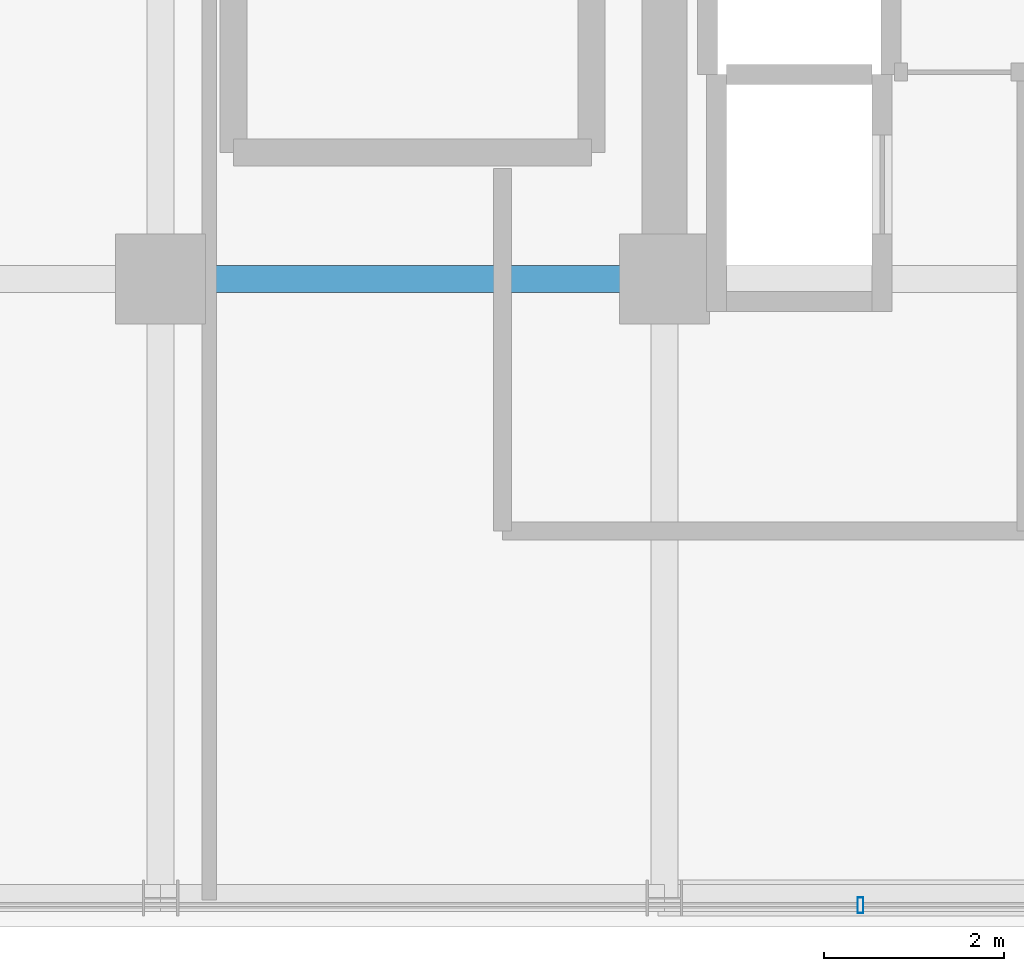
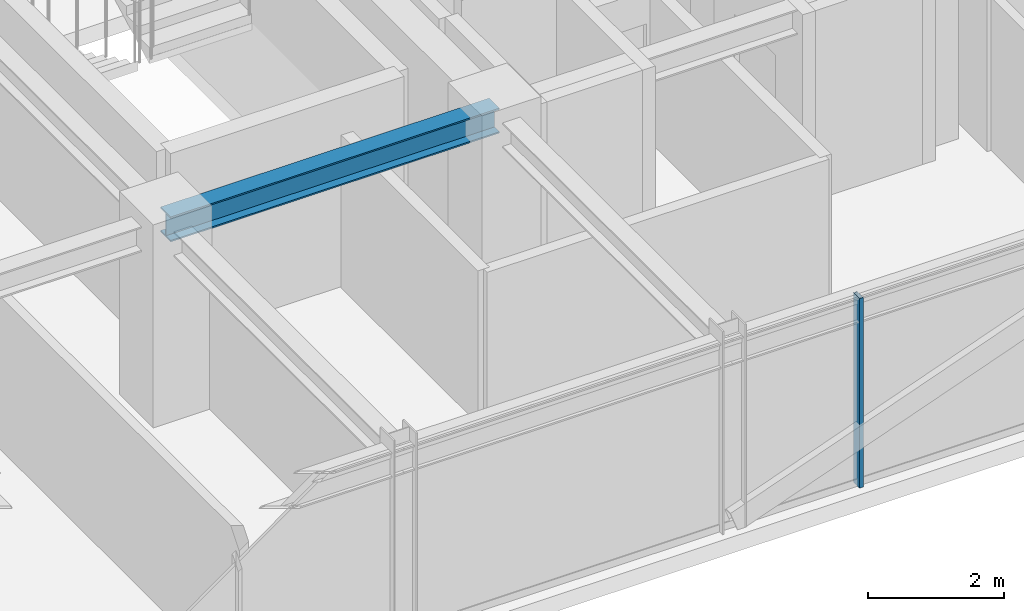
# One storey, part 12 of 41: 1 beam, 1 member, 1 element without a shape of its own.
"""IFC4 building model written with IfcOpenShell, lengths in metres."""

from ifc_helpers import new_model, si_unit, direction, frame, origin, origin_2d, place, context, subcontext, project, spatial, hollow_rectangle, i_section, extrude, source, transform, mapped, material, material_profile, profile_set, type_object, element, aggregate, save


model = new_model("IFC4")

# Units and contexts
model_context = context("Model", 3, precision=1e-05, world=origin(), true_north=direction((0.0, 1.0)))
body_context = subcontext(model_context, "Body", "Model", "MODEL_VIEW")
ifc_project = project(units=[si_unit("LENGTHUNIT", "METRE"), si_unit("AREAUNIT", "SQUARE_METRE"), si_unit("VOLUMEUNIT", "CUBIC_METRE"), si_unit("PLANEANGLEUNIT", "RADIAN"), si_unit("MASSUNIT", "GRAM", prefix="KILO")], contexts=[model_context])

# Site, building, storey
site_placement = place(None, origin())
site = spatial("IfcSite", under=ifc_project, at=site_placement, CompositionType="ELEMENT")
building_placement = place(site_placement, origin())
building = spatial("IfcBuilding", under=site, at=building_placement, Name="Nahalor Promenade Grand Hotel", CompositionType="ELEMENT")
storey_placement = place(building_placement, frame((0.0, 0.0, 227.10009765625)))
storey = spatial("IfcBuildingStorey", under=building, at=storey_placement, Name="L58", CompositionType="ELEMENT", Elevation=227.10009765625)

# Beam
ifc_material_1 = material(Name="Steel S355JR", Category="steel")
ifc_material_profile_1 = material_profile(ifc_material_1, i_section(OverallWidth=0.3, OverallDepth=0.45, WebThickness=0.014, FlangeThickness=0.026, at=origin_2d()), Name="HEB 450")
ifc_profile_set_1 = profile_set([ifc_material_profile_1], Name="Steel S355JR")
beam_type = type_object("IfcBeamType", Name="Beam-Girder-HEB450", PredefinedType="BEAM", material=ifc_profile_set_1)
shared_shape_1 = source(origin(), body_context, "Body", "SweptSolid", [
    extrude(i_section(OverallWidth=0.3, OverallDepth=0.45, WebThickness=0.014, FlangeThickness=0.026, at=origin_2d()), origin(), (0.0, 0.0, 1.0), 5.599853515625),
])
beam_placement = place(storey_placement, frame((2.800048828125, -17.0, 3.184814453125), z_axis=(1.0, 0.0, 0.0), x_axis=(0.0, 1.0, 0.0)))
element("IfcBeam", 1, at=beam_placement, inside=storey, type_object=beam_type, Name="BM-L58-GX-0-4", PredefinedType="BEAM", context=body_context, shape_type="MappedRepresentation", body=[
    mapped(shared_shape_1, transform((0.0, 0.0, 0.0), scale=1.0)),
])

# Curtain wall, member
ifc_material_2 = material(Name="Anodised Bronze Aluminium EN AW-6063 T6", Category="aluminium")
curtain_wall_type = type_object("IfcCurtainWallType", Name="CW2 Typical Hotel Flush Bronze Unitised Curtain Wall", PredefinedType="USERDEFINED", material=ifc_material_2)
curtain_wall_placement = place(storey_placement, origin())
curtain_wall = element("IfcCurtainWall", 2, at=curtain_wall_placement, inside=storey, type_object=curtain_wall_type, Name="L58 Curtain Wall CW-L58-S-1", ObjectType="UNITISED_CURTAIN_WALL", PredefinedType="USERDEFINED")
ifc_material_profile_2 = material_profile(ifc_material_2, hollow_rectangle(XDim=0.065, YDim=0.18, WallThickness=0.004, at=origin_2d()), Name="CWM 65x180x4")
ifc_profile_set_2 = profile_set([ifc_material_profile_2], Name="Anodised Bronze Aluminium EN AW-6063 T6")
member_type = type_object("IfcMemberType", Name="CWM2 Typical Bronze Mullion 65x180", PredefinedType="MULLION", material=ifc_profile_set_2)
shared_shape_2 = source(origin(), body_context, "Body", "SweptSolid", [
    extrude(hollow_rectangle(XDim=0.065, YDim=0.18, WallThickness=0.004, at=origin_2d()), origin(), (0.0, 0.0, 1.0), 3.409912109375),
])
member_placement = place(storey_placement, frame((10.580078125, -23.9599609375, 0.0), z_axis=(0.0, 0.0, 1.0), x_axis=(1.0, 0.0, 0.0)))
member = element("IfcMember", 3, at=member_placement, type_object=member_type, Name="CW-L58-S-1 Mullion 3", PredefinedType="MULLION", context=body_context, shape_type="MappedRepresentation", body=[
    mapped(shared_shape_2, transform((0.0, 0.0, 0.0), scale=1.0)),
])
aggregate(curtain_wall, [member])

save(model, "model.ifc")
